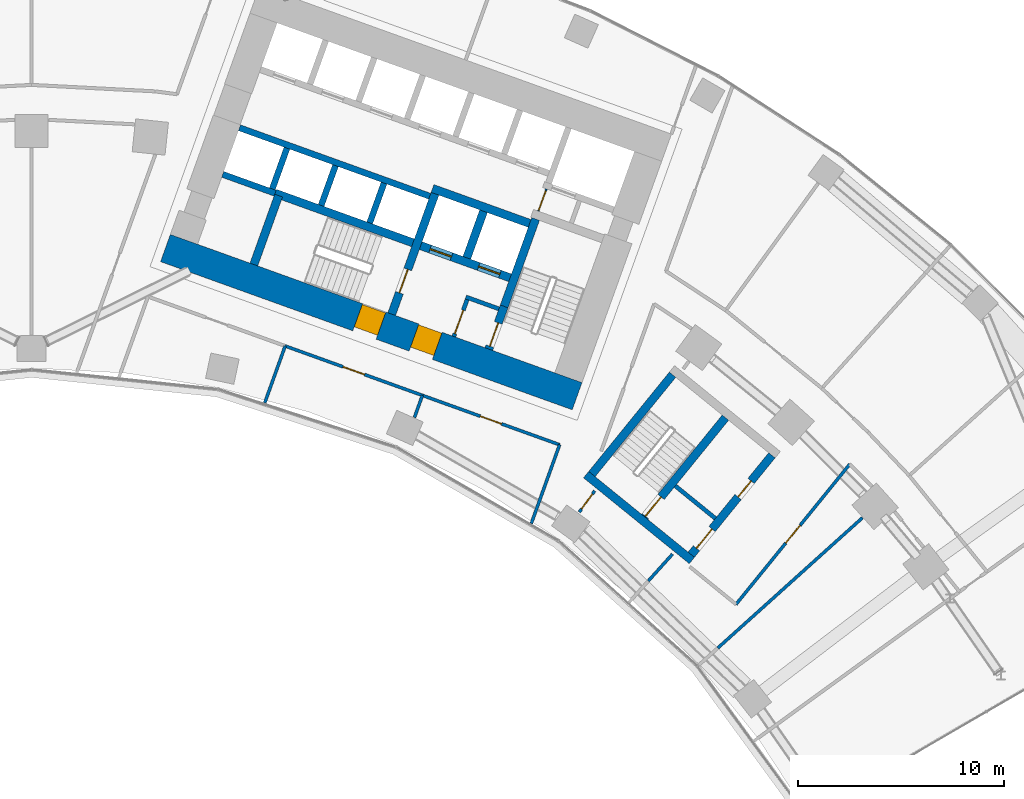
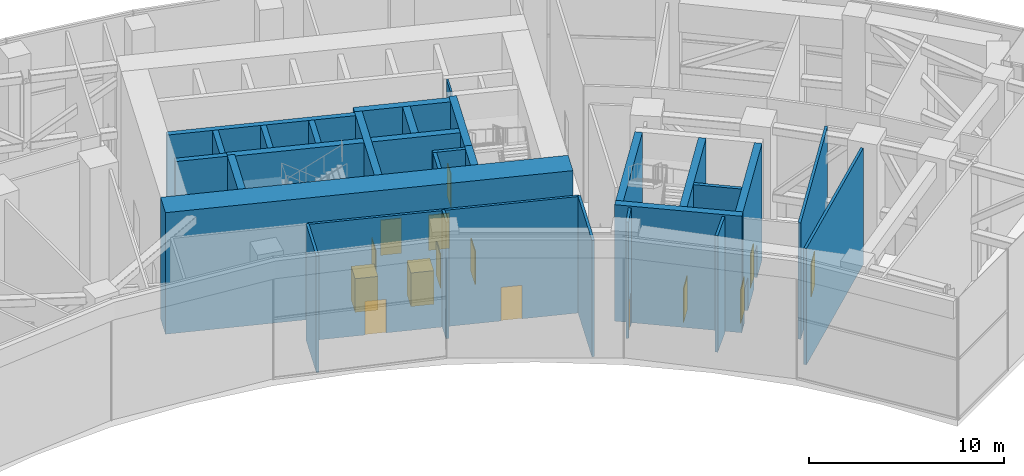
# One storey, part 27 of 33: 30 walls, 15 doors, 15 openings.
"""IFC4 building model written with IfcOpenShell, lengths in metres."""

from ifc_helpers import new_model, si_unit, direction, frame, frame_2d, origin, place, context, subcontext, project, spatial, rectangle, extrude, material, layer, layer_set, type_object, element, fill, save


model = new_model("IFC4")

# Units and contexts
model_context = context("Model", 3, precision=1e-05, world=origin(), true_north=direction((0.0, 1.0)))
body_context = subcontext(model_context, "Body", "Model", "MODEL_VIEW")
ifc_project = project(units=[si_unit("LENGTHUNIT", "METRE"), si_unit("AREAUNIT", "SQUARE_METRE"), si_unit("VOLUMEUNIT", "CUBIC_METRE"), si_unit("PLANEANGLEUNIT", "RADIAN"), si_unit("MASSUNIT", "GRAM", prefix="KILO")], contexts=[model_context])

# Site, building, storey
site_placement = place(None, origin())
site = spatial("IfcSite", under=ifc_project, at=site_placement, CompositionType="ELEMENT")
building_placement = place(site_placement, origin())
building = spatial("IfcBuilding", under=site, at=building_placement, Name="Stone Belt Terrace Tower", CompositionType="ELEMENT")
storey_placement = place(building_placement, frame((0.0, 0.0, 79.39990234375)))
storey = spatial("IfcBuildingStorey", under=building, at=storey_placement, Name="L19", CompositionType="ELEMENT", Elevation=79.39990234375)

# Wall, opening, door
ifc_material_1 = material(Name="Plasterboard partition")
ifc_layer_1 = layer(ifc_material_1, 0.10009765625)
ifc_layer_set_1 = layer_set([ifc_layer_1], Name="Core partition 100")
wall_type_1 = type_object("IfcWallType", Name="Core partition 100", PredefinedType="PARTITIONING", material=ifc_layer_set_1)
wall_1_placement = place(storey_placement, frame((24.555908203125, 51.10400390625, 0.0), z_axis=(0.0, 0.0, 1.0), x_axis=(0.338621735342, 0.94092258999, 0.0)))
wall_1 = element("IfcWall", 1, at=wall_1_placement, inside=storey, type_object=wall_type_1, Name="Core B wall", PredefinedType="PARTITIONING", context=body_context, shape_type="SweptSolid", body=[
    extrude(rectangle(XDim=1.14990234375, YDim=0.10009765625, at=frame_2d((0.574951171875, 0.0))), origin(), (0.0, 0.0, 1.0), 7.280029296875),
])
opening_1_placement = place(wall_1_placement, frame((0.050048828125, 0.0, 0.0)))
opening_1 = element("IfcOpeningElement", 2, at=opening_1_placement, cuts=wall_1, Name="Opening L19-C11", PredefinedType="OPENING", context=body_context, shape_type="SweptSolid", body=[
    extrude(rectangle(XDim=1.0, YDim=2.10009765625, at=frame_2d((0.5, 1.050048828125))), frame((0.0, 0.06005859375, 0.0), z_axis=(0.0, -1.0, 0.0), x_axis=(1.0, 0.0, 0.0)), (0.0, 0.0, 1.0), 0.1201171875),
])
ifc_material_2 = material(Name="Timber door leaf", Category="wood")
door_type_1 = type_object("IfcDoorType", Name="Core room door 1000", OperationType="SINGLE_SWING_LEFT", PredefinedType="DOOR", material=ifc_material_2)
door_1_placement = place(opening_1_placement, origin())
door_1 = element("IfcDoor", 3, at=door_1_placement, inside=storey, type_object=door_type_1, Name="Service lift lobby door core B", OperationType="SINGLE_SWING_RIGHT", OverallHeight=2.10009765625, OverallWidth=1.0, PredefinedType="DOOR", context=body_context, shape_type="SweptSolid", body=[
    extrude(rectangle(XDim=1.0, YDim=2.10009765625, at=frame_2d((0.5, 1.050048828125))), frame((0.0, 0.02490234375, 0.0), z_axis=(0.0, -1.0, 0.0), x_axis=(1.0, 0.0, 0.0)), (0.0, 0.0, 1.0), 0.050048828125),
])
fill(opening_1, door_1)

# Wall, openings, doors
ifc_material_3 = material(Name="Concrete B80", Category="concrete")
ifc_layer_2 = layer(ifc_material_3, 1.39990234375)
ifc_layer_set_2 = layer_set([ifc_layer_2], Name="Core wall 1400 B80")
wall_type_2 = type_object("IfcWallType", Name="Core wall 1400 B80", PredefinedType="SHEAR", material=ifc_layer_set_2)
wall_2_placement = place(storey_placement, frame((6.4833984375, 49.318115234375, 0.0), z_axis=(0.0, 0.0, 1.0), x_axis=(0.940923374003, -0.33861955681, 0.0)))
wall_2 = element("IfcWall", 4, at=wall_2_placement, inside=storey, type_object=wall_type_2, Name="Core B wall concave L19", PredefinedType="SHEAR", context=body_context, shape_type="SweptSolid", body=[
    extrude(rectangle(XDim=21.199951171875, YDim=1.39990234375, at=frame_2d((10.60009765625, 0.0))), origin(), (0.0, 0.0, 1.0), 7.60009765625),
])
opening_2_placement = place(wall_2_placement, frame((12.800048828125, 0.0, 0.0)))
opening_2 = element("IfcOpeningElement", 5, at=opening_2_placement, cuts=wall_2, Name="Opening L19-C15", PredefinedType="OPENING", context=body_context, shape_type="SweptSolid", body=[
    extrude(rectangle(XDim=1.199951171875, YDim=2.10009765625, at=frame_2d((0.60009765625, 1.050048828125))), frame((0.0, 0.7099609375, 0.0), z_axis=(0.0, -1.0, 0.0), x_axis=(1.0, 0.0, 0.0)), (0.0, 0.0, 1.0), 1.419921875),
])
opening_3_placement = place(wall_2_placement, frame((9.89990234375, 0.0, 0.0)))
opening_3 = element("IfcOpeningElement", 6, at=opening_3_placement, cuts=wall_2, Name="Opening L19-C17", PredefinedType="OPENING", context=body_context, shape_type="SweptSolid", body=[
    extrude(rectangle(XDim=1.199951171875, YDim=2.10009765625, at=frame_2d((0.60009765625, 1.050048828125))), frame((0.0, 0.7099609375, 0.0), z_axis=(0.0, -1.0, 0.0), x_axis=(1.0, 0.0, 0.0)), (0.0, 0.0, 1.0), 1.419921875),
])
ifc_material_4 = material(Name="Steel door leaf", Category="steel")
door_type_2 = type_object("IfcDoorType", Name="Fire-fighting lobby door 1200", OperationType="SINGLE_SWING_LEFT", PredefinedType="DOOR", material=ifc_material_4)
door_2_placement = place(opening_2_placement, origin())
door_2 = element("IfcDoor", 7, at=door_2_placement, inside=storey, type_object=door_type_2, Name="Fire-fighting lobby door core B", OperationType="SINGLE_SWING_RIGHT", OverallHeight=2.10009765625, OverallWidth=1.199951171875, PredefinedType="DOOR", context=body_context, shape_type="SweptSolid", body=[
    extrude(rectangle(XDim=1.199951171875, YDim=2.10009765625, at=frame_2d((0.60009765625, 1.050048828125))), frame((0.0, 0.655029296875, 0.0), z_axis=(0.0, -1.0, 0.0), x_axis=(1.0, 0.0, 0.0)), (0.0, 0.0, 1.0), 1.14990234375),
])
fill(opening_2, door_2)
door_type_3 = type_object("IfcDoorType", Name="Stair door 1200", OperationType="SINGLE_SWING_LEFT", PredefinedType="DOOR", material=ifc_material_4)
door_3_placement = place(opening_3_placement, origin())
door_3 = element("IfcDoor", 8, at=door_3_placement, inside=storey, type_object=door_type_3, Name="Stair 2 exit door core B", OperationType="SINGLE_SWING_LEFT", OverallHeight=2.10009765625, OverallWidth=1.199951171875, PredefinedType="DOOR", context=body_context, shape_type="SweptSolid", body=[
    extrude(rectangle(XDim=1.199951171875, YDim=2.10009765625, at=frame_2d((0.60009765625, 1.050048828125))), frame((0.0, 0.655029296875, 0.0), z_axis=(0.0, -1.0, 0.0), x_axis=(1.0, 0.0, 0.0)), (0.0, 0.0, 1.0), 1.14990234375),
])
fill(opening_3, door_3)

# Walls
ifc_layer_3 = layer(ifc_material_3, 0.39990234375)
ifc_layer_set_3 = layer_set([ifc_layer_3], Name="Fire-fighting lift shaft wall 400")
wall_type_3 = type_object("IfcWallType", Name="Fire-fighting lift shaft wall 400", PredefinedType="SHEAR", material=ifc_layer_set_3)
wall_3_placement = place(storey_placement, frame((24.130615234375, 50.512939453125, 0.0), z_axis=(0.0, 0.0, 1.0), x_axis=(-0.94091168377, 0.338652038744, 0.0)))
element("IfcWall", 9, at=wall_3_placement, inside=storey, type_object=wall_type_3, Name="Core B wall", PredefinedType="SHEAR", context=body_context, shape_type="SweptSolid", body=[
    extrude(rectangle(XDim=5.000244140625, YDim=0.39990234375, at=frame_2d((2.5, 0.0))), origin(), (0.0, 0.0, 1.0), 7.280029296875),
])
wall_4_placement = place(storey_placement, frame((21.0859375, 48.845458984375, 0.0), z_axis=(0.0, 0.0, 1.0), x_axis=(0.338629416206, 0.940919825745, 0.0)))
element("IfcWall", 10, at=wall_4_placement, inside=storey, type_object=wall_type_3, Name="Core B wall", PredefinedType="SHEAR", context=body_context, shape_type="SweptSolid", body=[
    extrude(rectangle(XDim=2.400146484375, YDim=0.39990234375, at=frame_2d((1.2001953125, 0.0))), origin(), (0.0, 0.0, 1.0), 7.280029296875),
])
ifc_layer_4 = layer(ifc_material_3, 0.300048828125)
ifc_layer_set_4 = layer_set([ifc_layer_4], Name="Lift shaft wall 300")
wall_type_4 = type_object("IfcWallType", Name="Lift shaft wall 300", PredefinedType="SHEAR", material=ifc_layer_set_4)
wall_5_placement = place(storey_placement, frame((19.29052734375, 51.829833984375, 0.0), z_axis=(0.0, 0.0, 1.0), x_axis=(-0.940925833398, 0.338612722803, 0.0)))
element("IfcWall", 11, at=wall_5_placement, inside=storey, type_object=wall_type_4, Name="Core B wall", PredefinedType="SHEAR", context=body_context, shape_type="SweptSolid", body=[
    extrude(rectangle(XDim=9.7998046875, YDim=0.300048828125, at=frame_2d((4.89990234375, 0.0))), origin(), (0.0, 0.0, 1.0), 7.280029296875),
])
for number, where, z_axis, x_axis, name in (
    (12, (16.38134765625, 50.53857421875, 0.0), (0.0, 0.0, 1.0), (0.338681515556, 0.940901073982, 0.0), "Core B wall"),
    (13, (14.029052734375, 51.38525390625, 0.0), (0.0, 0.0, 1.0), (0.338681515556, 0.940901073982, 0.0), "Core B wall"),
):
    element("IfcWall", number, at=place(storey_placement, frame(where, z_axis=z_axis, x_axis=x_axis)), inside=storey, type_object=wall_type_4, Name=name, PredefinedType="SHEAR", context=body_context, shape_type="SweptSolid", body=[
        extrude(rectangle(XDim=2.050048828125, YDim=0.300048828125, at=frame_2d((1.02490234375, 0.0))), origin(), (0.0, 0.0, 1.0), 7.280029296875),
    ])
wall_6_placement = place(storey_placement, frame((11.797119140625, 51.975830078125, 0.0), z_axis=(0.0, 0.0, 1.0), x_axis=(-0.940910465161, 0.33865542451, 0.0)))
element("IfcWall", 14, at=wall_6_placement, inside=storey, type_object=wall_type_4, Name="Core B wall", PredefinedType="SHEAR", context=body_context, shape_type="SweptSolid", body=[
    extrude(rectangle(XDim=2.69970703125, YDim=0.300048828125, at=frame_2d((1.349853515625, 0.0))), origin(), (0.0, 0.0, 1.0), 7.280029296875),
])
wall_7_placement = place(storey_placement, frame((11.659912109375, 52.184814453125, 0.0), z_axis=(0.0, 0.0, 1.0), x_axis=(0.338670064856, 0.940905195634, 0.0)))
element("IfcWall", 15, at=wall_7_placement, inside=storey, type_object=wall_type_4, Name="Core B wall", PredefinedType="SHEAR", context=body_context, shape_type="SweptSolid", body=[
    extrude(rectangle(XDim=2.099853515625, YDim=0.300048828125, at=frame_2d((1.0498046875, 0.0))), origin(), (0.0, 0.0, 1.0), 7.280029296875),
])
ifc_material_5 = material(Name="Gypsum board partition")
ifc_layer_5 = layer(ifc_material_5, 0.14990234375)
ifc_layer_set_5 = layer_set([ifc_layer_5], Name="PARTITION 150 EI 60")
wall_type_5 = type_object("IfcWallType", Name="PARTITION 150 EI 60", PredefinedType="PARTITIONING", material=ifc_layer_set_5)
wall_8_placement = place(storey_placement, frame((24.21240234375, 35.975341796875, 0.0), z_axis=(0.0, 0.0, 1.0), x_axis=(0.338542603355, 0.940951064463, 0.0)))
element("IfcWall", 16, at=wall_8_placement, inside=storey, type_object=wall_type_5, Name="L19/wall/i020", PredefinedType="PARTITIONING", context=body_context, shape_type="SweptSolid", body=[
    extrude(rectangle(XDim=4.05712890625, YDim=0.14990234375, at=frame_2d((2.028564453125, 0.0))), origin(), (0.0, 0.0, 1.0), 7.280029296875),
])

# Wall, opening, door
wall_9_placement = place(storey_placement, frame((27.282958984375, 37.552001953125, 0.0), z_axis=(0.0, 0.0, 1.0), x_axis=(-0.587851817093, -0.808968628032, 0.0)))
wall_9 = element("IfcWall", 17, at=wall_9_placement, inside=storey, type_object=wall_type_5, Name="L19/wall/i023", PredefinedType="PARTITIONING", context=body_context, shape_type="SweptSolid", body=[
    extrude(rectangle(XDim=1.270751953125, YDim=0.14990234375, at=frame_2d((0.63525390625, 0.0))), origin(), (0.0, 0.0, 1.0), 7.280029296875),
])
opening_4_placement = place(wall_9_placement, frame((0.185302734375, 0.0, 0.0)))
opening_4 = element("IfcOpeningElement", 18, at=opening_4_placement, cuts=wall_9, Name="Opening D-T1-22", PredefinedType="OPENING", context=body_context, shape_type="SweptSolid", body=[
    extrude(rectangle(XDim=0.89990234375, YDim=2.10009765625, at=frame_2d((0.449951171875, 1.050048828125))), frame((0.0, 0.0849609375, 0.0), z_axis=(0.0, -1.0, 0.0), x_axis=(1.0, 0.0, 0.0)), (0.0, 0.0, 1.0), 0.169921875),
])
ifc_material_6 = material(Name="Steel fire door set", Category="steel")
door_type_4 = type_object("IfcDoorType", Name="SERVICE ROOM DOOR 900 X 2100", OperationType="NOTDEFINED", PredefinedType="DOOR", material=ifc_material_6)
door_4_placement = place(opening_4_placement, origin())
door_4 = element("IfcDoor", 19, at=door_4_placement, inside=storey, type_object=door_type_4, Name="L19/door/i22", OperationType="SINGLE_SWING_RIGHT", OverallHeight=2.10009765625, OverallWidth=0.89990234375, PredefinedType="DOOR", context=body_context, shape_type="SweptSolid", body=[
    extrude(rectangle(XDim=0.89990234375, YDim=2.10009765625, at=frame_2d((0.449951171875, 1.050048828125))), frame((0.0, 0.02490234375, 0.0), z_axis=(0.0, -1.0, 0.0), x_axis=(1.0, 0.0, 0.0)), (0.0, 0.0, 1.0), 0.050048828125),
])
fill(opening_4, door_4)

wall_10_placement = place(storey_placement, frame((18.94091796875, 42.177978515625, 0.0), z_axis=(0.0, 0.0, 1.0), x_axis=(-0.940930050063, 0.338601005444, 0.0)))
wall_10 = element("IfcWall", 20, at=wall_10_placement, inside=storey, type_object=wall_type_5, Name="L19/wall/i026", PredefinedType="PARTITIONING", context=body_context, shape_type="SweptSolid", body=[
    extrude(rectangle(XDim=7.0791015625, YDim=0.14990234375, at=frame_2d((3.53955078125, 0.0))), origin(), (0.0, 0.0, 1.0), 7.280029296875),
])
opening_5_placement = place(wall_10_placement, frame((2.989501953125, 0.0, 0.0)))
opening_5 = element("IfcOpeningElement", 21, at=opening_5_placement, cuts=wall_10, Name="Opening D-T1-07", PredefinedType="OPENING", context=body_context, shape_type="SweptSolid", body=[
    extrude(rectangle(XDim=1.10009765625, YDim=2.10009765625, at=frame_2d((0.550048828125, 1.050048828125))), frame((0.0, 0.0849609375, 0.0), z_axis=(0.0, -1.0, 0.0), x_axis=(1.0, 0.0, 0.0)), (0.0, 0.0, 1.0), 0.169921875),
])
door_type_5 = type_object("IfcDoorType", Name="SERVICE ROOM DOOR 1100 X 2100", OperationType="NOTDEFINED", PredefinedType="DOOR", material=ifc_material_6)
door_5_placement = place(opening_5_placement, origin())
door_5 = element("IfcDoor", 22, at=door_5_placement, inside=storey, type_object=door_type_5, Name="L19/door/i07", OperationType="SINGLE_SWING_RIGHT", OverallHeight=2.10009765625, OverallWidth=1.10009765625, PredefinedType="DOOR", context=body_context, shape_type="SweptSolid", body=[
    extrude(rectangle(XDim=1.10009765625, YDim=2.10009765625, at=frame_2d((0.550048828125, 1.050048828125))), frame((0.0, 0.02490234375, 0.0), z_axis=(0.0, -1.0, 0.0), x_axis=(1.0, 0.0, 0.0)), (0.0, 0.0, 1.0), 0.050048828125),
])
fill(opening_5, door_5)

wall_11_placement = place(storey_placement, frame((25.583984375, 39.787109375, 0.0), z_axis=(0.0, 0.0, 1.0), x_axis=(-0.940934046642, 0.338589899245, 0.0)))
wall_11 = element("IfcWall", 23, at=wall_11_placement, inside=storey, type_object=wall_type_5, Name="L19/wall/i027", PredefinedType="PARTITIONING", context=body_context, shape_type="SweptSolid", body=[
    extrude(rectangle(XDim=7.07275390625, YDim=0.14990234375, at=frame_2d((3.536376953125, 0.0))), origin(), (0.0, 0.0, 1.0), 7.280029296875),
])
opening_6_placement = place(wall_11_placement, frame((2.986328125, 0.0, 0.0)))
opening_6 = element("IfcOpeningElement", 24, at=opening_6_placement, cuts=wall_11, Name="Opening D-T1-08", PredefinedType="OPENING", context=body_context, shape_type="SweptSolid", body=[
    extrude(rectangle(XDim=1.10009765625, YDim=2.10009765625, at=frame_2d((0.550048828125, 1.050048828125))), frame((0.0, 0.0849609375, 0.0), z_axis=(0.0, -1.0, 0.0), x_axis=(1.0, 0.0, 0.0)), (0.0, 0.0, 1.0), 0.169921875),
])
door_6_placement = place(opening_6_placement, origin())
door_6 = element("IfcDoor", 25, at=door_6_placement, inside=storey, type_object=door_type_5, Name="L19/door/i08", OperationType="SINGLE_SWING_LEFT", OverallHeight=2.10009765625, OverallWidth=1.10009765625, PredefinedType="DOOR", context=body_context, shape_type="SweptSolid", body=[
    extrude(rectangle(XDim=1.10009765625, YDim=2.10009765625, at=frame_2d((0.550048828125, 1.050048828125))), frame((0.0, 0.02490234375, 0.0), z_axis=(0.0, -1.0, 0.0), x_axis=(1.0, 0.0, 0.0)), (0.0, 0.0, 1.0), 0.050048828125),
])
fill(opening_6, door_6)

# Walls
wall_12_placement = place(storey_placement, frame((12.285888671875, 44.572998046875, 0.0), z_axis=(0.0, 0.0, 1.0), x_axis=(-0.338406432662, -0.941000045873, 0.0)))
element("IfcWall", 26, at=wall_12_placement, inside=storey, type_object=wall_type_5, Name="L19/wall/i028", PredefinedType="PARTITIONING", context=body_context, shape_type="SweptSolid", body=[
    extrude(rectangle(XDim=2.927490234375, YDim=0.14990234375, at=frame_2d((1.4638671875, 0.0))), origin(), (0.0, 0.0, 1.0), 7.280029296875),
])
wall_13_placement = place(storey_placement, frame((18.93505859375, 42.179931640625, 0.0), z_axis=(0.0, 0.0, 1.0), x_axis=(-0.338537137062, -0.94095303115, 0.0)))
element("IfcWall", 27, at=wall_13_placement, inside=storey, type_object=wall_type_5, Name="L19/wall/i029", PredefinedType="PARTITIONING", context=body_context, shape_type="SweptSolid", body=[
    extrude(rectangle(XDim=1.137939453125, YDim=0.14990234375, at=frame_2d((0.56884765625, 0.0))), origin(), (0.0, 0.0, 1.0), 7.280029296875),
])

# Wall, opening, door
wall_14_placement = place(storey_placement, frame((39.64599609375, 38.84912109375, 0.0), z_axis=(0.0, 0.0, 1.0), x_axis=(-0.630141823003, -0.776480059566, 0.0)))
wall_14 = element("IfcWall", 28, at=wall_14_placement, inside=storey, type_object=wall_type_5, Name="L19/wall/i068", PredefinedType="PARTITIONING", context=body_context, shape_type="SweptSolid", body=[
    extrude(rectangle(XDim=8.748779296875, YDim=0.14990234375, at=frame_2d((4.37451171875, 0.0))), origin(), (0.0, 0.0, 1.0), 7.280029296875),
])
opening_7_placement = place(wall_14_placement, frame((3.82421875, 0.0, 0.0)))
opening_7 = element("IfcOpeningElement", 29, at=opening_7_placement, cuts=wall_14, Name="Opening D-T1-23", PredefinedType="OPENING", context=body_context, shape_type="SweptSolid", body=[
    extrude(rectangle(XDim=1.10009765625, YDim=2.10009765625, at=frame_2d((0.550048828125, 1.050048828125))), frame((0.0, 0.0849609375, 0.0), z_axis=(0.0, -1.0, 0.0), x_axis=(1.0, 0.0, 0.0)), (0.0, 0.0, 1.0), 0.169921875),
])
door_7_placement = place(opening_7_placement, origin())
door_7 = element("IfcDoor", 30, at=door_7_placement, inside=storey, type_object=door_type_5, Name="L19/door/i23", OperationType="SINGLE_SWING_RIGHT", OverallHeight=2.10009765625, OverallWidth=1.10009765625, PredefinedType="DOOR", context=body_context, shape_type="SweptSolid", body=[
    extrude(rectangle(XDim=1.10009765625, YDim=2.10009765625, at=frame_2d((0.550048828125, 1.050048828125))), frame((0.0, 0.02490234375, 0.0), z_axis=(0.0, -1.0, 0.0), x_axis=(1.0, 0.0, 0.0)), (0.0, 0.0, 1.0), 0.050048828125),
])
fill(opening_7, door_7)

# Walls
wall_15_placement = place(storey_placement, frame((31.054931640625, 34.489990234375, 0.0), z_axis=(0.0, 0.0, 1.0), x_axis=(-0.669125547433, -0.743149380524, 0.0)))
element("IfcWall", 31, at=wall_15_placement, inside=storey, type_object=wall_type_5, Name="L19/wall/i070-1", PredefinedType="PARTITIONING", context=body_context, shape_type="SweptSolid", body=[
    extrude(rectangle(XDim=1.76123046875, YDim=0.14990234375, at=frame_2d((0.880615234375, 0.0))), origin(), (0.0, 0.0, 1.0), 7.280029296875),
])
wall_16_placement = place(storey_placement, frame((40.256103515625, 36.2470703125, 0.0), z_axis=(0.0, 0.0, 1.0), x_axis=(-0.743129312511, -0.669147834852, 0.0)))
element("IfcWall", 32, at=wall_16_placement, inside=storey, type_object=wall_type_5, Name="L19/wall/i071-1", PredefinedType="PARTITIONING", context=body_context, shape_type="SweptSolid", body=[
    extrude(rectangle(XDim=9.42822265625, YDim=0.14990234375, at=frame_2d((4.714111328125, 0.0))), origin(), (0.0, 0.0, 1.0), 7.280029296875),
])
ifc_material_7 = material(Name="Concrete masonry block", Category="masonry")
ifc_layer_6 = layer(ifc_material_7, 0.199951171875)
ifc_layer_set_6 = layer_set([ifc_layer_6], Name="Rated lobby wall 200")
wall_type_6 = type_object("IfcWallType", Name="Rated lobby wall 200", PredefinedType="PARTITIONING", material=ifc_layer_set_6)
wall_17_placement = place(storey_placement, frame((22.640625, 46.373046875, 0.0), z_axis=(0.0, 0.0, 1.0), x_axis=(-0.940966110313, 0.338500781747, 0.0)))
element("IfcWall", 33, at=wall_17_placement, inside=storey, type_object=wall_type_6, Name="Core B wall", PredefinedType="PARTITIONING", context=body_context, shape_type="SweptSolid", body=[
    extrude(rectangle(XDim=1.699951171875, YDim=0.199951171875, at=frame_2d((0.85009765625, 0.0))), origin(), (0.0, 0.0, 1.0), 7.280029296875),
])

# Wall, opening, door
wall_18_placement = place(storey_placement, frame((20.4580078125, 45.032958984375, 0.0), z_axis=(0.0, 0.0, 1.0), x_axis=(0.338573865316, 0.940939816208, 0.0)))
wall_18 = element("IfcWall", 34, at=wall_18_placement, inside=storey, type_object=wall_type_6, Name="Core B wall", PredefinedType="PARTITIONING", context=body_context, shape_type="SweptSolid", body=[
    extrude(rectangle(XDim=1.900146484375, YDim=0.199951171875, at=frame_2d((0.9501953125, 0.0))), origin(), (0.0, 0.0, 1.0), 7.280029296875),
])
opening_8_placement = place(wall_18_placement, frame((0.14990234375, 0.0, 0.0)))
opening_8 = element("IfcOpeningElement", 35, at=opening_8_placement, cuts=wall_18, Name="Opening L19-C14", PredefinedType="OPENING", context=body_context, shape_type="SweptSolid", body=[
    extrude(rectangle(XDim=1.199951171875, YDim=2.10009765625, at=frame_2d((0.60009765625, 1.050048828125))), frame((0.0, 0.10986328125, 0.0), z_axis=(0.0, -1.0, 0.0), x_axis=(1.0, 0.0, 0.0)), (0.0, 0.0, 1.0), 0.219970703125),
])
door_8_placement = place(opening_8_placement, origin())
door_8 = element("IfcDoor", 36, at=door_8_placement, inside=storey, type_object=door_type_3, Name="Stair airlock door core B", OperationType="SINGLE_SWING_RIGHT", OverallHeight=2.10009765625, OverallWidth=1.199951171875, PredefinedType="DOOR", context=body_context, shape_type="SweptSolid", body=[
    extrude(rectangle(XDim=1.199951171875, YDim=2.10009765625, at=frame_2d((0.60009765625, 1.050048828125))), frame((0.0, 0.02490234375, 0.0), z_axis=(0.0, -1.0, 0.0), x_axis=(1.0, 0.0, 0.0)), (0.0, 0.0, 1.0), 0.050048828125),
])
fill(opening_8, door_8)

# Wall
wall_19_placement = place(storey_placement, frame((31.190673828125, 37.79296875, 0.0), z_axis=(0.0, 0.0, 1.0), x_axis=(0.776370830301, -0.630276394813, 0.0)))
element("IfcWall", 37, at=wall_19_placement, inside=storey, type_object=wall_type_6, Name="Exit stair ST3B wall", PredefinedType="PARTITIONING", context=body_context, shape_type="SweptSolid", body=[
    extrude(rectangle(XDim=2.5, YDim=0.199951171875, at=frame_2d((1.25, 0.0))), origin(), (0.0, 0.0, 1.0), 7.280029296875),
])

# Wall, opening, door
ifc_layer_7 = layer(ifc_material_3, 0.39990234375)
ifc_layer_set_7 = layer_set([ifc_layer_7], Name="Stair enclosure wall 400")
wall_type_7 = type_object("IfcWallType", Name="Stair enclosure wall 400", PredefinedType="SHEAR", material=ifc_layer_set_7)
wall_20_placement = place(storey_placement, frame((22.151611328125, 44.42333984375, 0.0), z_axis=(0.0, 0.0, 1.0), x_axis=(0.338577997708, 0.940938329259, 0.0)))
wall_20 = element("IfcWall", 38, at=wall_20_placement, inside=storey, type_object=wall_type_7, Name="Core B wall", PredefinedType="SHEAR", context=body_context, shape_type="SweptSolid", body=[
    extrude(rectangle(XDim=2.199951171875, YDim=0.39990234375, at=frame_2d((1.10009765625, 0.0))), origin(), (0.0, 0.0, 1.0), 7.280029296875),
])
opening_9_placement = place(wall_20_placement, frame((0.14990234375, 0.0, 0.0)))
opening_9 = element("IfcOpeningElement", 39, at=opening_9_placement, cuts=wall_20, Name="Opening L19-C13", PredefinedType="OPENING", context=body_context, shape_type="SweptSolid", body=[
    extrude(rectangle(XDim=1.199951171875, YDim=2.10009765625, at=frame_2d((0.60009765625, 1.050048828125))), frame((0.0, 0.2099609375, 0.0), z_axis=(0.0, -1.0, 0.0), x_axis=(1.0, 0.0, 0.0)), (0.0, 0.0, 1.0), 0.419921875),
])
door_9_placement = place(opening_9_placement, origin())
door_9 = element("IfcDoor", 40, at=door_9_placement, inside=storey, type_object=door_type_3, Name="Stair 1 door core B", OperationType="SINGLE_SWING_RIGHT", OverallHeight=2.10009765625, OverallWidth=1.199951171875, PredefinedType="DOOR", context=body_context, shape_type="SweptSolid", body=[
    extrude(rectangle(XDim=1.199951171875, YDim=2.10009765625, at=frame_2d((0.60009765625, 1.050048828125))), frame((0.0, 0.02490234375, 0.0), z_axis=(0.0, -1.0, 0.0), x_axis=(1.0, 0.0, 0.0)), (0.0, 0.0, 1.0), 0.050048828125),
])
fill(opening_9, door_9)

# Wall
wall_21_placement = place(storey_placement, frame((22.896484375, 46.493408203125, 0.0), z_axis=(0.0, 0.0, 1.0), x_axis=(0.338648384874, 0.940912998859, 0.0)))
element("IfcWall", 41, at=wall_21_placement, inside=storey, type_object=wall_type_7, Name="Core B wall", PredefinedType="SHEAR", context=body_context, shape_type="SweptSolid", body=[
    extrude(rectangle(XDim=4.5, YDim=0.39990234375, at=frame_2d((2.25, 0.0))), origin(), (0.0, 0.0, 1.0), 7.280029296875),
])

# Wall, openings, doors
wall_22_placement = place(storey_placement, frame((23.182373046875, 47.87841796875, 0.0), z_axis=(0.0, 0.0, 1.0), x_axis=(-0.940921101762, 0.338625870628, 0.0)))
wall_22 = element("IfcWall", 42, at=wall_22_placement, inside=storey, type_object=wall_type_7, Name="Core B wall", PredefinedType="SHEAR", context=body_context, shape_type="SweptSolid", body=[
    extrude(rectangle(XDim=12.10009765625, YDim=0.39990234375, at=frame_2d((6.050048828125, 0.0))), origin(), (0.0, 0.0, 1.0), 7.280029296875),
])
opening_10_placement = place(wall_22_placement, frame((0.52001953125, 0.0, 0.0)))
opening_10 = element("IfcOpeningElement", 43, at=opening_10_placement, cuts=wall_22, Name="Opening L19-LD16", PredefinedType="OPENING", context=body_context, shape_type="SweptSolid", body=[
    extrude(rectangle(XDim=1.10009765625, YDim=2.199951171875, at=frame_2d((0.550048828125, 1.10009765625))), frame((0.0, 0.2099609375, 0.0), z_axis=(0.0, -1.0, 0.0), x_axis=(1.0, 0.0, 0.0)), (0.0, 0.0, 1.0), 0.419921875),
])
opening_11_placement = place(wall_22_placement, frame((3.02001953125, 0.0, 0.0)))
opening_11 = element("IfcOpeningElement", 44, at=opening_11_placement, cuts=wall_22, Name="Opening L19-LD17", PredefinedType="OPENING", context=body_context, shape_type="SweptSolid", body=[
    extrude(rectangle(XDim=1.10009765625, YDim=2.199951171875, at=frame_2d((0.550048828125, 1.10009765625))), frame((0.0, 0.2099609375, 0.0), z_axis=(0.0, -1.0, 0.0), x_axis=(1.0, 0.0, 0.0)), (0.0, 0.0, 1.0), 0.419921875),
])
ifc_material_8 = material(Name="Stainless steel door leaf", Category="steel")
door_type_6 = type_object("IfcDoorType", Name="Landing door 1100", OperationType="SLIDING_TO_LEFT", PredefinedType="DOOR", material=ifc_material_8)
door_10_placement = place(opening_10_placement, origin())
door_10 = element("IfcDoor", 45, at=door_10_placement, inside=storey, type_object=door_type_6, Name="Landing door FF1 core B", OperationType="SLIDING_TO_LEFT", OverallHeight=2.199951171875, OverallWidth=1.10009765625, PredefinedType="DOOR", context=body_context, shape_type="SweptSolid", body=[
    extrude(rectangle(XDim=1.10009765625, YDim=2.199951171875, at=frame_2d((0.550048828125, 1.10009765625))), frame((0.0, 0.02490234375, 0.0), z_axis=(0.0, -1.0, 0.0), x_axis=(1.0, 0.0, 0.0)), (0.0, 0.0, 1.0), 0.050048828125),
])
fill(opening_10, door_10)
door_11_placement = place(opening_11_placement, origin())
door_11 = element("IfcDoor", 46, at=door_11_placement, inside=storey, type_object=door_type_6, Name="Landing door FF2 core B", OperationType="SLIDING_TO_LEFT", OverallHeight=2.199951171875, OverallWidth=1.10009765625, PredefinedType="DOOR", context=body_context, shape_type="SweptSolid", body=[
    extrude(rectangle(XDim=1.10009765625, YDim=2.199951171875, at=frame_2d((0.550048828125, 1.10009765625))), frame((0.0, 0.02490234375, 0.0), z_axis=(0.0, -1.0, 0.0), x_axis=(1.0, 0.0, 0.0)), (0.0, 0.0, 1.0), 0.050048828125),
])
fill(opening_11, door_11)

# Wall, opening, door
wall_23_placement = place(storey_placement, frame((17.447021484375, 46.116455078125, 0.0), z_axis=(0.0, 0.0, 1.0), x_axis=(0.33860791464, 0.940927563707, 0.0)))
wall_23 = element("IfcWall", 47, at=wall_23_placement, inside=storey, type_object=wall_type_7, Name="Core B wall", PredefinedType="SHEAR", context=body_context, shape_type="SweptSolid", body=[
    extrude(rectangle(XDim=6.199951171875, YDim=0.39990234375, at=frame_2d((3.10009765625, 0.0))), origin(), (0.0, 0.0, 1.0), 7.280029296875),
])
opening_12_placement = place(wall_23_placement, frame((1.10009765625, 0.0, 0.0)))
opening_12 = element("IfcOpeningElement", 48, at=opening_12_placement, cuts=wall_23, Name="Opening L19-C16", PredefinedType="OPENING", context=body_context, shape_type="SweptSolid", body=[
    extrude(rectangle(XDim=1.199951171875, YDim=2.10009765625, at=frame_2d((0.60009765625, 1.050048828125))), frame((0.0, 0.2099609375, 0.0), z_axis=(0.0, -1.0, 0.0), x_axis=(1.0, 0.0, 0.0)), (0.0, 0.0, 1.0), 0.419921875),
])
door_12_placement = place(opening_12_placement, origin())
door_12 = element("IfcDoor", 49, at=door_12_placement, inside=storey, type_object=door_type_3, Name="Stair 2 door core B", OperationType="SINGLE_SWING_RIGHT", OverallHeight=2.10009765625, OverallWidth=1.199951171875, PredefinedType="DOOR", context=body_context, shape_type="SweptSolid", body=[
    extrude(rectangle(XDim=1.199951171875, YDim=2.10009765625, at=frame_2d((0.60009765625, 1.050048828125))), frame((0.0, 0.02490234375, 0.0), z_axis=(0.0, -1.0, 0.0), x_axis=(1.0, 0.0, 0.0)), (0.0, 0.0, 1.0), 0.050048828125),
])
fill(opening_12, door_12)

# Walls
wall_24_placement = place(storey_placement, frame((10.766357421875, 48.520751953125, 0.0), z_axis=(0.0, 0.0, 1.0), x_axis=(0.338626928157, 0.94092072117, 0.0)))
element("IfcWall", 50, at=wall_24_placement, inside=storey, type_object=wall_type_7, Name="Core B wall", PredefinedType="SHEAR", context=body_context, shape_type="SweptSolid", body=[
    extrude(rectangle(XDim=3.550048828125, YDim=0.39990234375, at=frame_2d((1.77490234375, 0.0))), origin(), (0.0, 0.0, 1.0), 7.280029296875),
])
wall_25_placement = place(storey_placement, frame((26.868408203125, 38.3388671875, 0.0), z_axis=(0.0, 0.0, 1.0), x_axis=(0.776428452498, -0.630205409491, 0.0)))
element("IfcWall", 51, at=wall_25_placement, inside=storey, type_object=wall_type_7, Name="Exit stair ST3B wall", PredefinedType="SHEAR", context=body_context, shape_type="SweptSolid", body=[
    extrude(rectangle(XDim=6.60009765625, YDim=0.39990234375, at=frame_2d((3.300048828125, 0.0))), origin(), (0.0, 0.0, 1.0), 7.280029296875),
])
wall_26_placement = place(storey_placement, frame((27.149658203125, 38.3681640625, 0.0), z_axis=(0.0, 0.0, 1.0), x_axis=(0.630211551729, 0.776423466973, 0.0)))
element("IfcWall", 52, at=wall_26_placement, inside=storey, type_object=wall_type_7, Name="Exit stair ST3B wall", PredefinedType="SHEAR", context=body_context, shape_type="SweptSolid", body=[
    extrude(rectangle(XDim=6.199951171875, YDim=0.39990234375, at=frame_2d((3.10009765625, 0.0))), origin(), (0.0, 0.0, 1.0), 7.280029296875),
])

# Wall, openings, doors
wall_27_placement = place(storey_placement, frame((31.963623046875, 34.460693359375, 0.0), z_axis=(0.0, 0.0, 1.0), x_axis=(0.630192283849, 0.776439106033, 0.0)))
wall_27 = element("IfcWall", 53, at=wall_27_placement, inside=storey, type_object=wall_type_7, Name="Exit stair ST3B wall", PredefinedType="SHEAR", context=body_context, shape_type="SweptSolid", body=[
    extrude(rectangle(XDim=6.199951171875, YDim=0.39990234375, at=frame_2d((3.10009765625, 0.0))), origin(), (0.0, 0.0, 1.0), 7.280029296875),
])
opening_13_placement = place(wall_27_placement, frame((0.39990234375, 0.0, 0.0)))
opening_13 = element("IfcOpeningElement", 54, at=opening_13_placement, cuts=wall_27, Name="Opening L19-C23", PredefinedType="OPENING", context=body_context, shape_type="SweptSolid", body=[
    extrude(rectangle(XDim=1.199951171875, YDim=2.10009765625, at=frame_2d((0.60009765625, 1.050048828125))), frame((0.0, 0.2099609375, 0.0), z_axis=(0.0, -1.0, 0.0), x_axis=(1.0, 0.0, 0.0)), (0.0, 0.0, 1.0), 0.419921875),
])
opening_14_placement = place(wall_27_placement, frame((3.60009765625, 0.0, 0.0)))
opening_14 = element("IfcOpeningElement", 55, at=opening_14_placement, cuts=wall_27, Name="Opening L19-C24", PredefinedType="OPENING", context=body_context, shape_type="SweptSolid", body=[
    extrude(rectangle(XDim=1.0, YDim=2.10009765625, at=frame_2d((0.5, 1.050048828125))), frame((0.0, 0.2099609375, 0.0), z_axis=(0.0, -1.0, 0.0), x_axis=(1.0, 0.0, 0.0)), (0.0, 0.0, 1.0), 0.419921875),
])
door_13_placement = place(opening_14_placement, origin())
door_13 = element("IfcDoor", 56, at=door_13_placement, inside=storey, type_object=door_type_1, Name="Door to stair pressurisation plant room ST3B", OperationType="SINGLE_SWING_LEFT", OverallHeight=2.10009765625, OverallWidth=1.0, PredefinedType="DOOR", context=body_context, shape_type="SweptSolid", body=[
    extrude(rectangle(XDim=1.0, YDim=2.10009765625, at=frame_2d((0.5, 1.050048828125))), frame((0.0, 0.02490234375, 0.0), z_axis=(0.0, -1.0, 0.0), x_axis=(1.0, 0.0, 0.0)), (0.0, 0.0, 1.0), 0.050048828125),
])
fill(opening_14, door_13)
door_type_7 = type_object("IfcDoorType", Name="Stair airlock door 1200", OperationType="SINGLE_SWING_LEFT", PredefinedType="DOOR", material=ifc_material_4)
door_14_placement = place(opening_13_placement, origin())
door_14 = element("IfcDoor", 57, at=door_14_placement, inside=storey, type_object=door_type_7, Name="Stair airlock door ST3B", OperationType="SINGLE_SWING_LEFT", OverallHeight=2.10009765625, OverallWidth=1.199951171875, PredefinedType="DOOR", context=body_context, shape_type="SweptSolid", body=[
    extrude(rectangle(XDim=1.199951171875, YDim=2.10009765625, at=frame_2d((0.60009765625, 1.050048828125))), frame((0.0, 0.02490234375, 0.0), z_axis=(0.0, -1.0, 0.0), x_axis=(1.0, 0.0, 0.0)), (0.0, 0.0, 1.0), 0.050048828125),
])
fill(opening_13, door_14)

# Wall, opening, door
wall_28_placement = place(storey_placement, frame((29.7119140625, 36.288330078125, 0.0), z_axis=(0.0, 0.0, 1.0), x_axis=(0.630192283849, 0.776439106033, 0.0)))
wall_28 = element("IfcWall", 58, at=wall_28_placement, inside=storey, type_object=wall_type_7, Name="Exit stair ST3B wall", PredefinedType="SHEAR", context=body_context, shape_type="SweptSolid", body=[
    extrude(rectangle(XDim=6.199951171875, YDim=0.39990234375, at=frame_2d((3.10009765625, 0.0))), origin(), (0.0, 0.0, 1.0), 7.280029296875),
])
opening_15_placement = place(wall_28_placement, frame((0.050048828125, 0.0, 0.0)))
opening_15 = element("IfcOpeningElement", 59, at=opening_15_placement, cuts=wall_28, Name="Opening L19-C22", PredefinedType="OPENING", context=body_context, shape_type="SweptSolid", body=[
    extrude(rectangle(XDim=1.199951171875, YDim=2.10009765625, at=frame_2d((0.60009765625, 1.050048828125))), frame((0.0, 0.2099609375, 0.0), z_axis=(0.0, -1.0, 0.0), x_axis=(1.0, 0.0, 0.0)), (0.0, 0.0, 1.0), 0.419921875),
])
door_15_placement = place(opening_15_placement, origin())
door_15 = element("IfcDoor", 60, at=door_15_placement, inside=storey, type_object=door_type_3, Name="Stair door ST3B", OperationType="SINGLE_SWING_RIGHT", OverallHeight=2.10009765625, OverallWidth=1.199951171875, PredefinedType="DOOR", context=body_context, shape_type="SweptSolid", body=[
    extrude(rectangle(XDim=1.199951171875, YDim=2.10009765625, at=frame_2d((0.60009765625, 1.050048828125))), frame((0.0, 0.02490234375, 0.0), z_axis=(0.0, -1.0, 0.0), x_axis=(1.0, 0.0, 0.0)), (0.0, 0.0, 1.0), 0.050048828125),
])
fill(opening_15, door_15)

save(model, "model.ifc")
